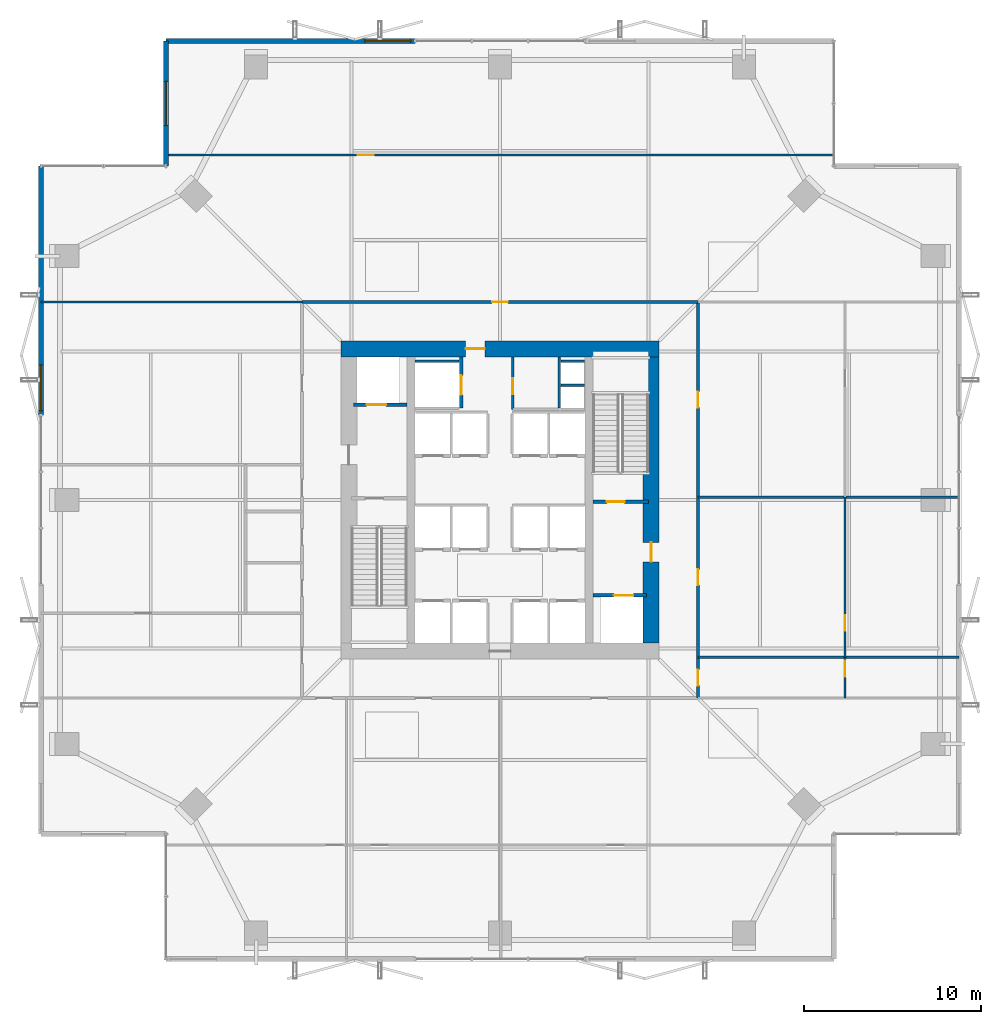
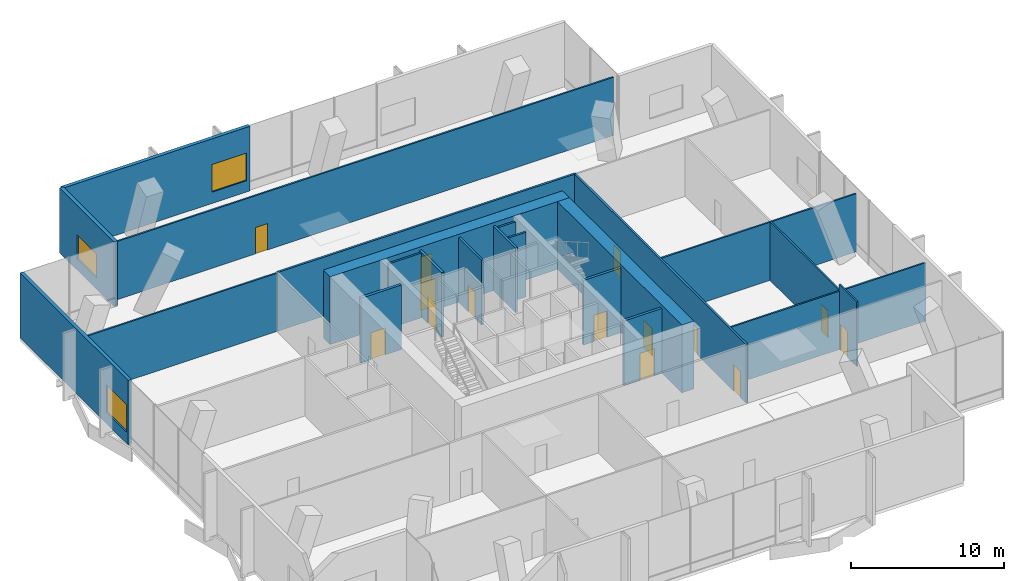
# One storey, part 26 of 28: 22 walls, 14 doors, 3 windows, 17 openings.
"""IFC4 building model written with IfcOpenShell, lengths in metres."""

from ifc_helpers import new_model, si_unit, direction, frame, frame_2d, origin, place, context, subcontext, project, spatial, rectangle, extrude, material, layer, layer_set, type_object, element, fill, save


model = new_model("IFC4")

# Units and contexts
model_context = context("Model", 3, precision=1e-05, world=origin(), true_north=direction((0.0, 1.0)))
body_context = subcontext(model_context, "Body", "Model", "MODEL_VIEW")
ifc_project = project(units=[si_unit("LENGTHUNIT", "METRE"), si_unit("AREAUNIT", "SQUARE_METRE"), si_unit("VOLUMEUNIT", "CUBIC_METRE"), si_unit("PLANEANGLEUNIT", "RADIAN"), si_unit("MASSUNIT", "GRAM", prefix="KILO")], contexts=[model_context])

# Site, building, storey
site_placement = place(None, origin())
site = spatial("IfcSite", under=ifc_project, at=site_placement, CompositionType="ELEMENT")
building_placement = place(site_placement, origin())
building = spatial("IfcBuilding", under=site, at=building_placement, Name="Belovzor Exchange Tower", CompositionType="ELEMENT")
storey_placement = place(building_placement, frame((0.0, 0.0, 132.89990234375)))
storey = spatial("IfcBuildingStorey", under=building, at=storey_placement, Name="L32", CompositionType="ELEMENT", Elevation=132.89990234375)

# Wall, opening, door
ifc_material_1 = material(Name="Acoustic Plasterboard on Galvanised Studs", Category="gypsum")
ifc_layer_1 = layer(ifc_material_1, 0.1201171875)
ifc_layer_set_1 = layer_set([ifc_layer_1], Name="Acoustic Plasterboard on Galvanised Studs")
wall_type_1 = type_object("IfcWallType", Name="Acoustic Double-Stud Partition Wall 120", PredefinedType="PARTITIONING", material=ifc_layer_set_1)
wall_1_placement = place(storey_placement, frame((9.89990234375, 48.320068359375, 0.0), z_axis=(0.0, 0.0, 1.0), x_axis=(1.0, 0.0, 0.0)))
wall_1 = element("IfcWall", 1, at=wall_1_placement, inside=storey, type_object=wall_type_1, Name="W-P120 Partition Wall W-L32-NHDIV-0", PredefinedType="PARTITIONING", context=body_context, shape_type="SweptSolid", body=[
    extrude(rectangle(XDim=37.800048828125, YDim=0.1201171875, at=frame_2d((18.89990234375, 0.0))), origin(), (0.0, 0.0, 1.0), 4.630126953125),
])
opening_1_placement = place(wall_1_placement, frame((10.845947265625, 0.0, 0.0)))
opening_1 = element("IfcOpeningElement", 2, at=opening_1_placement, cuts=wall_1, Name="Opening D-INT-090", PredefinedType="OPENING", context=body_context, shape_type="SweptSolid", body=[
    extrude(rectangle(XDim=0.89990234375, YDim=2.10009765625, at=frame_2d((0.449951171875, 1.050048828125))), frame((0.0, 0.070068359375, 0.0), z_axis=(0.0, -1.0, 0.0), x_axis=(1.0, 0.0, 0.0)), (0.0, 0.0, 1.0), 0.14013671875),
])
ifc_material_2 = material(Name="Veneered Hardwood Acoustic Leaf", Category="wood")
door_type_1 = type_object("IfcDoorType", Name="Trading Suite Acoustic Single Door 900x2100", OperationType="NOTDEFINED", PredefinedType="DOOR", material=ifc_material_2)
door_1_placement = place(opening_1_placement, origin())
door_1 = element("IfcDoor", 3, at=door_1_placement, inside=storey, type_object=door_type_1, Name="D-INT-090 Trading Suite Acoustic Single Door 900x2100", OperationType="SINGLE_SWING_RIGHT", OverallHeight=2.10009765625, OverallWidth=0.89990234375, PredefinedType="DOOR", context=body_context, shape_type="SweptSolid", body=[
    extrude(rectangle(XDim=0.89990234375, YDim=2.10009765625, at=frame_2d((0.449951171875, 1.050048828125))), frame((0.0, 0.02490234375, 0.0), z_axis=(0.0, -1.0, 0.0), x_axis=(1.0, 0.0, 0.0)), (0.0, 0.0, 1.0), 0.050048828125),
])
fill(opening_1, door_1)

# Wall
wall_2_placement = place(storey_placement, frame((2.830078125, 40.0, 0.0), z_axis=(0.0, 0.0, 1.0), x_axis=(1.0, 0.0, 0.0)))
element("IfcWall", 4, at=wall_2_placement, inside=storey, type_object=wall_type_1, Name="W-P120 Partition Wall W-L32-END-NW", PredefinedType="PARTITIONING", context=body_context, shape_type="SweptSolid", body=[
    extrude(rectangle(XDim=14.77001953125, YDim=0.1201171875, at=frame_2d((7.385009765625, 0.0))), origin(), (0.0, 0.0, 1.0), 4.630126953125),
])

# Wall, opening, door
wall_3_placement = place(storey_placement, frame((48.320068359375, 17.60009765625, 0.0), z_axis=(0.0, 0.0, 1.0), x_axis=(0.0, 1.0, 0.0)))
wall_3 = element("IfcWall", 5, at=wall_3_placement, inside=storey, type_object=wall_type_1, Name="W-P120 Partition Wall W-L32-EHDIV-0", PredefinedType="PARTITIONING", context=body_context, shape_type="SweptSolid", body=[
    extrude(rectangle(XDim=2.2998046875, YDim=0.1201171875, at=frame_2d((1.14990234375, 0.0))), origin(), (0.0, 0.0, 1.0), 5.14501953125),
])
opening_2_placement = place(wall_3_placement, frame((1.199951171875, 0.0, 0.0)))
opening_2 = element("IfcOpeningElement", 6, at=opening_2_placement, cuts=wall_3, Name="Opening D-INT-090", PredefinedType="OPENING", context=body_context, shape_type="SweptSolid", body=[
    extrude(rectangle(XDim=0.89990234375, YDim=2.10009765625, at=frame_2d((0.449951171875, 1.050048828125))), frame((0.0, 0.070068359375, 0.0), z_axis=(0.0, -1.0, 0.0), x_axis=(1.0, 0.0, 0.0)), (0.0, 0.0, 1.0), 0.14013671875),
])
door_2_placement = place(opening_2_placement, origin())
door_2 = element("IfcDoor", 7, at=door_2_placement, inside=storey, type_object=door_type_1, Name="D-INT-090 Trading Suite Acoustic Single Door 900x2100", OperationType="SINGLE_SWING_RIGHT", OverallHeight=2.10009765625, OverallWidth=0.89990234375, PredefinedType="DOOR", context=body_context, shape_type="SweptSolid", body=[
    extrude(rectangle(XDim=0.89990234375, YDim=2.10009765625, at=frame_2d((0.449951171875, 1.050048828125))), frame((0.0, 0.02490234375, 0.0), z_axis=(0.0, -1.0, 0.0), x_axis=(1.0, 0.0, 0.0)), (0.0, 0.0, 1.0), 0.050048828125),
])
fill(opening_2, door_2)

# Wall
wall_4_placement = place(storey_placement, frame((40.0, 19.89990234375, 0.0), z_axis=(0.0, 0.0, 1.0), x_axis=(1.0, 0.0, 0.0)))
element("IfcWall", 8, at=wall_4_placement, inside=storey, type_object=wall_type_1, Name="W-P120 Partition Wall W-L32-EDIV-1", PredefinedType="PARTITIONING", context=body_context, shape_type="SweptSolid", body=[
    extrude(rectangle(XDim=14.77001953125, YDim=0.1201171875, at=frame_2d((7.385009765625, 0.0))), origin(), (0.0, 0.0, 1.0), 4.630126953125),
])

# Wall, opening, door
wall_5_placement = place(storey_placement, frame((48.320068359375, 19.89990234375, 0.0), z_axis=(0.0, 0.0, 1.0), x_axis=(0.0, 1.0, 0.0)))
wall_5 = element("IfcWall", 9, at=wall_5_placement, inside=storey, type_object=wall_type_1, Name="W-P120 Partition Wall W-L32-EHDIV-1", PredefinedType="PARTITIONING", context=body_context, shape_type="SweptSolid", body=[
    extrude(rectangle(XDim=9.05615234375, YDim=0.1201171875, at=frame_2d((4.528076171875, 0.0))), origin(), (0.0, 0.0, 1.0), 4.68017578125),
])
opening_3_placement = place(wall_5_placement, frame((1.492919921875, 0.0, 0.0)))
opening_3 = element("IfcOpeningElement", 10, at=opening_3_placement, cuts=wall_5, Name="Opening D-INT-090", PredefinedType="OPENING", context=body_context, shape_type="SweptSolid", body=[
    extrude(rectangle(XDim=0.89990234375, YDim=2.10009765625, at=frame_2d((0.449951171875, 1.050048828125))), frame((0.0, 0.070068359375, 0.0), z_axis=(0.0, -1.0, 0.0), x_axis=(1.0, 0.0, 0.0)), (0.0, 0.0, 1.0), 0.14013671875),
])
door_3_placement = place(opening_3_placement, origin())
door_3 = element("IfcDoor", 11, at=door_3_placement, inside=storey, type_object=door_type_1, Name="D-INT-090 Trading Suite Acoustic Single Door 900x2100", OperationType="SINGLE_SWING_RIGHT", OverallHeight=2.10009765625, OverallWidth=0.89990234375, PredefinedType="DOOR", context=body_context, shape_type="SweptSolid", body=[
    extrude(rectangle(XDim=0.89990234375, YDim=2.10009765625, at=frame_2d((0.449951171875, 1.050048828125))), frame((0.0, 0.02490234375, 0.0), z_axis=(0.0, -1.0, 0.0), x_axis=(1.0, 0.0, 0.0)), (0.0, 0.0, 1.0), 0.050048828125),
])
fill(opening_3, door_3)

# Wall
wall_6_placement = place(storey_placement, frame((40.0, 28.9560546875, 0.0), z_axis=(0.0, 0.0, 1.0), x_axis=(1.0, 0.0, 0.0)))
element("IfcWall", 12, at=wall_6_placement, inside=storey, type_object=wall_type_1, Name="W-P120 Partition Wall W-L32-EDIV-2", PredefinedType="PARTITIONING", context=body_context, shape_type="SweptSolid", body=[
    extrude(rectangle(XDim=14.77001953125, YDim=0.1201171875, at=frame_2d((7.385009765625, 0.0))), origin(), (0.0, 0.0, 1.0), 4.630126953125),
])

# Wall, opening, door
ifc_material_3 = material(Name="Fire-Rated Gypsum Block and Mineral Wool", Category="gypsum")
ifc_layer_2 = layer(ifc_material_3, 0.14990234375)
ifc_layer_set_2 = layer_set([ifc_layer_2], Name="Fire-Rated Gypsum Block and Mineral Wool")
wall_type_2 = type_object("IfcWallType", Name="Fire-Rated Gypsum Block Corridor Wall 150", PredefinedType="PARTITIONING", material=ifc_layer_set_2)
wall_7_placement = place(storey_placement, frame((29.52490234375, 33.925048828125, 0.0), z_axis=(0.0, 0.0, 1.0), x_axis=(0.0, 1.0, 0.0)))
wall_7 = element("IfcWall", 13, at=wall_7_placement, inside=storey, type_object=wall_type_2, Name="W-P150 Partition Wall W-CRV-L32-W", PredefinedType="PARTITIONING", context=body_context, shape_type="SweptSolid", body=[
    extrude(rectangle(XDim=2.974853515625, YDim=0.14990234375, at=frame_2d((1.4873046875, 0.0))), origin(), (0.0, 0.0, 1.0), 5.14501953125),
])
opening_4_placement = place(wall_7_placement, frame((0.85009765625, 0.0, 0.0)))
opening_4 = element("IfcOpeningElement", 14, at=opening_4_placement, cuts=wall_7, Name="Opening D-FD60-090", PredefinedType="OPENING", context=body_context, shape_type="SweptSolid", body=[
    extrude(rectangle(XDim=0.89990234375, YDim=2.10009765625, at=frame_2d((0.449951171875, 1.050048828125))), frame((0.0, 0.0849609375, 0.0), z_axis=(0.0, -1.0, 0.0), x_axis=(1.0, 0.0, 0.0)), (0.0, 0.0, 1.0), 0.169921875),
])
ifc_material_4 = material(Name="Acoustic Timber Fire Leaf", Category="wood")
door_type_2 = type_object("IfcDoorType", Name="Core Service & Restroom Fire Door 900x2100", OperationType="NOTDEFINED", PredefinedType="DOOR", material=ifc_material_4)
door_4_placement = place(opening_4_placement, origin())
door_4 = element("IfcDoor", 15, at=door_4_placement, inside=storey, type_object=door_type_2, Name="D-FD60-090 Core Service & Restroom Fire Door 900x2100", OperationType="SINGLE_SWING_LEFT", OverallHeight=2.10009765625, OverallWidth=0.89990234375, PredefinedType="DOOR", context=body_context, shape_type="SweptSolid", body=[
    extrude(rectangle(XDim=0.89990234375, YDim=2.10009765625, at=frame_2d((0.449951171875, 1.050048828125))), frame((0.0, 0.02490234375, 0.0), z_axis=(0.0, -1.0, 0.0), x_axis=(1.0, 0.0, 0.0)), (0.0, 0.0, 1.0), 0.050048828125),
])
fill(opening_4, door_4)

wall_8_placement = place(storey_placement, frame((17.60009765625, 40.0, 0.0), z_axis=(0.0, 0.0, 1.0), x_axis=(1.0, 0.0, 0.0)))
wall_8 = element("IfcWall", 16, at=wall_8_placement, inside=storey, type_object=wall_type_2, Name="W-P150 Partition Wall W-L32-CN", PredefinedType="PARTITIONING", context=body_context, shape_type="SweptSolid", body=[
    extrude(rectangle(XDim=22.39990234375, YDim=0.14990234375, at=frame_2d((11.199951171875, 0.0))), origin(), (0.0, 0.0, 1.0), 4.68017578125),
])
opening_5_placement = place(wall_8_placement, frame((10.75, 0.0, 0.0)))
opening_5 = element("IfcOpeningElement", 17, at=opening_5_placement, cuts=wall_8, Name="Opening D-INT-090", PredefinedType="OPENING", context=body_context, shape_type="SweptSolid", body=[
    extrude(rectangle(XDim=0.89990234375, YDim=2.10009765625, at=frame_2d((0.449951171875, 1.050048828125))), frame((0.0, 0.0849609375, 0.0), z_axis=(0.0, -1.0, 0.0), x_axis=(1.0, 0.0, 0.0)), (0.0, 0.0, 1.0), 0.169921875),
])
door_5_placement = place(opening_5_placement, origin())
door_5 = element("IfcDoor", 18, at=door_5_placement, inside=storey, type_object=door_type_1, Name="D-INT-090 Trading Suite Acoustic Single Door 900x2100", OperationType="SINGLE_SWING_LEFT", OverallHeight=2.10009765625, OverallWidth=0.89990234375, PredefinedType="DOOR", context=body_context, shape_type="SweptSolid", body=[
    extrude(rectangle(XDim=0.89990234375, YDim=2.10009765625, at=frame_2d((0.449951171875, 1.050048828125))), frame((0.0, 0.02490234375, 0.0), z_axis=(0.0, -1.0, 0.0), x_axis=(1.0, 0.0, 0.0)), (0.0, 0.0, 1.0), 0.050048828125),
])
fill(opening_5, door_5)

# Wall, openings, doors
wall_9_placement = place(storey_placement, frame((40.0, 17.60009765625, 0.0), z_axis=(0.0, 0.0, 1.0), x_axis=(0.0, 1.0, 0.0)))
wall_9 = element("IfcWall", 19, at=wall_9_placement, inside=storey, type_object=wall_type_2, Name="W-P150 Partition Wall W-L32-CE", PredefinedType="PARTITIONING", context=body_context, shape_type="SweptSolid", body=[
    extrude(rectangle(XDim=22.39990234375, YDim=0.14990234375, at=frame_2d((11.199951171875, 0.0))), origin(), (0.0, 0.0, 1.0), 4.68017578125),
])
opening_6_placement = place(wall_9_placement, frame((0.699951171875, 0.0, 0.0)))
opening_6 = element("IfcOpeningElement", 20, at=opening_6_placement, cuts=wall_9, Name="Opening D-INT-090", PredefinedType="OPENING", context=body_context, shape_type="SweptSolid", body=[
    extrude(rectangle(XDim=0.89990234375, YDim=2.10009765625, at=frame_2d((0.449951171875, 1.050048828125))), frame((0.0, 0.0849609375, 0.0), z_axis=(0.0, -1.0, 0.0), x_axis=(1.0, 0.0, 0.0)), (0.0, 0.0, 1.0), 0.169921875),
])
opening_7_placement = place(wall_9_placement, frame((6.3779296875, 0.0, 0.0)))
opening_7 = element("IfcOpeningElement", 21, at=opening_7_placement, cuts=wall_9, Name="Opening D-INT-090", PredefinedType="OPENING", context=body_context, shape_type="SweptSolid", body=[
    extrude(rectangle(XDim=0.89990234375, YDim=2.10009765625, at=frame_2d((0.449951171875, 1.050048828125))), frame((0.0, 0.0849609375, 0.0), z_axis=(0.0, -1.0, 0.0), x_axis=(1.0, 0.0, 0.0)), (0.0, 0.0, 1.0), 0.169921875),
])
opening_8_placement = place(wall_9_placement, frame((16.427978515625, 0.0, 0.0)))
opening_8 = element("IfcOpeningElement", 22, at=opening_8_placement, cuts=wall_9, Name="Opening D-INT-090", PredefinedType="OPENING", context=body_context, shape_type="SweptSolid", body=[
    extrude(rectangle(XDim=0.89990234375, YDim=2.10009765625, at=frame_2d((0.449951171875, 1.050048828125))), frame((0.0, 0.0849609375, 0.0), z_axis=(0.0, -1.0, 0.0), x_axis=(1.0, 0.0, 0.0)), (0.0, 0.0, 1.0), 0.169921875),
])
door_6_placement = place(opening_6_placement, origin())
door_6 = element("IfcDoor", 23, at=door_6_placement, inside=storey, type_object=door_type_1, Name="D-INT-090 Trading Suite Acoustic Single Door 900x2100", OperationType="SINGLE_SWING_LEFT", OverallHeight=2.10009765625, OverallWidth=0.89990234375, PredefinedType="DOOR", context=body_context, shape_type="SweptSolid", body=[
    extrude(rectangle(XDim=0.89990234375, YDim=2.10009765625, at=frame_2d((0.449951171875, 1.050048828125))), frame((0.0, 0.02490234375, 0.0), z_axis=(0.0, -1.0, 0.0), x_axis=(1.0, 0.0, 0.0)), (0.0, 0.0, 1.0), 0.050048828125),
])
fill(opening_6, door_6)
door_7_placement = place(opening_7_placement, origin())
door_7 = element("IfcDoor", 24, at=door_7_placement, inside=storey, type_object=door_type_1, Name="D-INT-090 Trading Suite Acoustic Single Door 900x2100", OperationType="SINGLE_SWING_RIGHT", OverallHeight=2.10009765625, OverallWidth=0.89990234375, PredefinedType="DOOR", context=body_context, shape_type="SweptSolid", body=[
    extrude(rectangle(XDim=0.89990234375, YDim=2.10009765625, at=frame_2d((0.449951171875, 1.050048828125))), frame((0.0, 0.02490234375, 0.0), z_axis=(0.0, -1.0, 0.0), x_axis=(1.0, 0.0, 0.0)), (0.0, 0.0, 1.0), 0.050048828125),
])
fill(opening_7, door_7)
door_8_placement = place(opening_8_placement, origin())
door_8 = element("IfcDoor", 25, at=door_8_placement, inside=storey, type_object=door_type_1, Name="D-INT-090 Trading Suite Acoustic Single Door 900x2100", OperationType="SINGLE_SWING_LEFT", OverallHeight=2.10009765625, OverallWidth=0.89990234375, PredefinedType="DOOR", context=body_context, shape_type="SweptSolid", body=[
    extrude(rectangle(XDim=0.89990234375, YDim=2.10009765625, at=frame_2d((0.449951171875, 1.050048828125))), frame((0.0, 0.02490234375, 0.0), z_axis=(0.0, -1.0, 0.0), x_axis=(1.0, 0.0, 0.0)), (0.0, 0.0, 1.0), 0.050048828125),
])
fill(opening_8, door_8)

# Wall, opening, window
ifc_material_5 = material(Name="Precast concrete C40/50", Category="concrete")
ifc_layer_3 = layer(ifc_material_5, 0.280029296875)
ifc_layer_set_3 = layer_set([ifc_layer_3], Name="Precast concrete C40/50")
wall_type_3 = type_object("IfcWallType", Name="Precast Concrete Notched Corner Frame Wall 280", PredefinedType="SOLIDWALL", material=ifc_layer_set_3)
wall_10_placement = place(storey_placement, frame((9.89990234375, 47.699951171875, 0.0), z_axis=(0.0, 0.0, 1.0), x_axis=(0.0, 1.0, 0.0)))
wall_10 = element("IfcWall", 26, at=wall_10_placement, inside=storey, type_object=wall_type_3, Name="W-CRN280 Precast Concrete Notched Corner Frame Wall 280 L32", PredefinedType="SOLIDWALL", context=body_context, shape_type="SweptSolid", body=[
    extrude(rectangle(XDim=7.070068359375, YDim=0.280029296875, at=frame_2d((3.53515625, 0.0))), origin(), (0.0, 0.0, 1.0), 5.14501953125),
])
opening_9_placement = place(wall_10_placement, frame((2.284912109375, 0.0, 0.89990234375)))
opening_9 = element("IfcOpeningElement", 27, at=opening_9_placement, cuts=wall_10, Name="Opening WN-CRN250", PredefinedType="OPENING", context=body_context, shape_type="SweptSolid", body=[
    extrude(rectangle(XDim=2.5, YDim=1.89990234375, at=frame_2d((1.25, 0.949951171875))), frame((0.0, 0.14990234375, 0.0), z_axis=(0.0, -1.0, 0.0), x_axis=(1.0, 0.0, 0.0)), (0.0, 0.0, 1.0), 0.300048828125),
])
ifc_material_6 = material(Name="Thermally Broken Aluminium and Triple Glazing", Category="aluminium")
window_type_1 = type_object("IfcWindowType", Name="Streamline Moderne Corner Wrap Ribbon Window 2500x1900", PartitioningType="SINGLE_PANEL", PredefinedType="WINDOW", material=ifc_material_6)
window_1_placement = place(opening_9_placement, origin())
window_1 = element("IfcWindow", 28, at=window_1_placement, inside=storey, type_object=window_type_1, Name="WN-CRN250 Streamline Moderne Corner Wrap Ribbon Window 2500x1900", OverallHeight=1.89990234375, OverallWidth=2.5, PartitioningType="SINGLE_PANEL", PredefinedType="WINDOW", context=body_context, shape_type="SweptSolid", body=[
    extrude(rectangle(XDim=2.5, YDim=1.89990234375, at=frame_2d((1.25, 0.949951171875))), frame((0.0, 0.030029296875, 0.0), z_axis=(0.0, -1.0, 0.0), x_axis=(1.0, 0.0, 0.0)), (0.0, 0.0, 1.0), 0.06005859375),
])
fill(opening_9, window_1)

ifc_material_7 = material(Name="Precast concrete C40/50", Category="concrete")
ifc_layer_4 = layer(ifc_material_7, 0.260009765625)
ifc_layer_set_4 = layer_set([ifc_layer_4], Name="Precast concrete C40/50")
wall_type_4 = type_object("IfcWallType", Name="Precast Concrete Perimeter Loggia Frame Wall 260", PredefinedType="SOLIDWALL", material=ifc_layer_set_4)
wall_11_placement = place(storey_placement, frame((9.89990234375, 54.77001953125, 0.0), z_axis=(0.0, 0.0, 1.0), x_axis=(1.0, 0.0, 0.0)))
wall_11 = element("IfcWall", 29, at=wall_11_placement, inside=storey, type_object=wall_type_4, Name="W-EXT260 Precast Concrete Perimeter Loggia Frame Wall 260 L32", PredefinedType="SOLIDWALL", context=body_context, shape_type="SweptSolid", body=[
    extrude(rectangle(XDim=14.10009765625, YDim=0.260009765625, at=frame_2d((7.050048828125, 0.0))), origin(), (0.0, 0.0, 1.0), 5.14501953125),
])
opening_10_placement = place(wall_11_placement, frame((11.25, 0.0, 0.89990234375)))
opening_10 = element("IfcOpeningElement", 30, at=opening_10_placement, cuts=wall_11, Name="Opening WN-LOG260", PredefinedType="OPENING", context=body_context, shape_type="SweptSolid", body=[
    extrude(rectangle(XDim=2.60009765625, YDim=2.199951171875, at=frame_2d((1.300048828125, 1.10009765625))), frame((0.0, 0.139892578125, 0.0), z_axis=(0.0, -1.0, 0.0), x_axis=(1.0, 0.0, 0.0)), (0.0, 0.0, 1.0), 0.280029296875),
])
ifc_material_8 = material(Name="Thermally Broken Aluminium and Triple Glazing", Category="aluminium")
window_type_2 = type_object("IfcWindowType", Name="Sky-Lobby Panoramic Window 2600x2200", PartitioningType="SINGLE_PANEL", PredefinedType="WINDOW", material=ifc_material_8)
window_2_placement = place(opening_10_placement, origin())
window_2 = element("IfcWindow", 31, at=window_2_placement, inside=storey, type_object=window_type_2, Name="WN-LOG260 Sky-Lobby Panoramic Window 2600x2200", OverallHeight=2.199951171875, OverallWidth=2.60009765625, PartitioningType="SINGLE_PANEL", PredefinedType="WINDOW", context=body_context, shape_type="SweptSolid", body=[
    extrude(rectangle(XDim=2.60009765625, YDim=2.199951171875, at=frame_2d((1.300048828125, 1.10009765625))), frame((0.0, 0.030029296875, 0.0), z_axis=(0.0, -1.0, 0.0), x_axis=(1.0, 0.0, 0.0)), (0.0, 0.0, 1.0), 0.06005859375),
])
fill(opening_10, window_2)

wall_12_placement = place(storey_placement, frame((2.830078125, 33.60009765625, 0.0), z_axis=(0.0, 0.0, 1.0), x_axis=(0.0, 1.0, 0.0)))
wall_12 = element("IfcWall", 32, at=wall_12_placement, inside=storey, type_object=wall_type_4, Name="W-EXT260 Precast Concrete Perimeter Loggia Frame Wall 260 L32", PredefinedType="SOLIDWALL", context=body_context, shape_type="SweptSolid", body=[
    extrude(rectangle(XDim=14.099853515625, YDim=0.260009765625, at=frame_2d((7.0498046875, 0.0))), origin(), (0.0, 0.0, 1.0), 5.14501953125),
])
opening_11_placement = place(wall_12_placement, frame((0.25, 0.0, 0.89990234375)))
opening_11 = element("IfcOpeningElement", 33, at=opening_11_placement, cuts=wall_12, Name="Opening WN-LOG260", PredefinedType="OPENING", context=body_context, shape_type="SweptSolid", body=[
    extrude(rectangle(XDim=2.60009765625, YDim=2.199951171875, at=frame_2d((1.300048828125, 1.10009765625))), frame((0.0, 0.139892578125, 0.0), z_axis=(0.0, -1.0, 0.0), x_axis=(1.0, 0.0, 0.0)), (0.0, 0.0, 1.0), 0.280029296875),
])
window_3_placement = place(opening_11_placement, origin())
window_3 = element("IfcWindow", 34, at=window_3_placement, inside=storey, type_object=window_type_2, Name="WN-LOG260 Sky-Lobby Panoramic Window 2600x2200", OverallHeight=2.199951171875, OverallWidth=2.60009765625, PartitioningType="SINGLE_PANEL", PredefinedType="WINDOW", context=body_context, shape_type="SweptSolid", body=[
    extrude(rectangle(XDim=2.60009765625, YDim=2.199951171875, at=frame_2d((1.300048828125, 1.10009765625))), frame((0.0, 0.030029296875, 0.0), z_axis=(0.0, -1.0, 0.0), x_axis=(1.0, 0.0, 0.0)), (0.0, 0.0, 1.0), 0.06005859375),
])
fill(opening_11, window_3)

# Walls
ifc_material_9 = material(Name="Concrete C50/60", Category="concrete")
ifc_layer_5 = layer(ifc_material_9, 0.14990234375)
ifc_layer_set_5 = layer_set([ifc_layer_5], Name="Concrete C50/60")
wall_type_5 = type_object("IfcWallType", Name="Reinforced Concrete Core Riser Shear Wall 150", PredefinedType="SHEAR", material=ifc_layer_set_5)
wall_13_placement = place(storey_placement, frame((32.14990234375, 34.0, 0.0), z_axis=(0.0, 0.0, 1.0), x_axis=(0.0, 1.0, 0.0)))
element("IfcWall", 35, at=wall_13_placement, inside=storey, type_object=wall_type_5, Name="W-C150S Core Shaft Wall W-RSR-L32-E", PredefinedType="SHEAR", context=body_context, shape_type="SweptSolid", body=[
    extrude(rectangle(XDim=2.89990234375, YDim=0.14990234375, at=frame_2d((1.449951171875, 0.0))), origin(), (0.0, 0.0, 1.0), 5.14501953125),
])
wall_14_placement = place(storey_placement, frame((32.25, 35.300048828125, 0.0), z_axis=(0.0, 0.0, 1.0), x_axis=(1.0, 0.0, 0.0)))
element("IfcWall", 36, at=wall_14_placement, inside=storey, type_object=wall_type_5, Name="W-C150S Core Shaft Wall W-RSR-L32-M", PredefinedType="SHEAR", context=body_context, shape_type="SweptSolid", body=[
    extrude(rectangle(XDim=1.330078125, YDim=0.14990234375, at=frame_2d((0.6650390625, 0.0))), origin(), (0.0, 0.0, 1.0), 5.14501953125),
])
wall_15_placement = place(storey_placement, frame((24.0, 36.64990234375, 0.0), z_axis=(0.0, 0.0, 1.0), x_axis=(1.0, 0.0, 0.0)))
element("IfcWall", 37, at=wall_15_placement, inside=storey, type_object=wall_type_5, Name="W-C150S Core Shaft Wall W-SH-L32-SL-01N", PredefinedType="SHEAR", context=body_context, shape_type="SweptSolid", body=[
    extrude(rectangle(XDim=2.47998046875, YDim=0.14990234375, at=frame_2d((1.239990234375, 0.0))), origin(), (0.0, 0.0, 1.0), 5.14501953125),
])
wall_16_placement = place(storey_placement, frame((32.25, 36.64990234375, 0.0), z_axis=(0.0, 0.0, 1.0), x_axis=(1.0, 0.0, 0.0)))
element("IfcWall", 38, at=wall_16_placement, inside=storey, type_object=wall_type_5, Name="W-C150S Core Shaft Wall W-RSR-L32-N", PredefinedType="SHEAR", context=body_context, shape_type="SweptSolid", body=[
    extrude(rectangle(XDim=1.330078125, YDim=0.14990234375, at=frame_2d((0.6650390625, 0.0))), origin(), (0.0, 0.0, 1.0), 5.14501953125),
])

# Wall, opening, door
ifc_material_10 = material(Name="Concrete C50/60", Category="concrete")
ifc_layer_6 = layer(ifc_material_10, 0.199951171875)
ifc_layer_set_6 = layer_set([ifc_layer_6], Name="Concrete C50/60")
wall_type_6 = type_object("IfcWallType", Name="Reinforced Concrete Core Shaft Shear Wall 200", PredefinedType="SHEAR", material=ifc_layer_set_6)
wall_17_placement = place(storey_placement, frame((34.050048828125, 28.699951171875, 0.0), z_axis=(0.0, 0.0, 1.0), x_axis=(1.0, 0.0, 0.0)))
wall_17 = element("IfcWall", 39, at=wall_17_placement, inside=storey, type_object=wall_type_6, Name="W-C200S Core Shaft Wall W-CORE-L32-FFLE2", PredefinedType="SHEAR", context=body_context, shape_type="SweptSolid", body=[
    extrude(rectangle(XDim=3.14990234375, YDim=0.199951171875, at=frame_2d((1.574951171875, 0.0))), origin(), (0.0, 0.0, 1.0), 5.14501953125),
])
opening_12_placement = place(wall_17_placement, frame((0.800048828125, 0.0, 0.0)))
opening_12 = element("IfcOpeningElement", 40, at=opening_12_placement, cuts=wall_17, Name="Opening D-FD90-100", PredefinedType="OPENING", context=body_context, shape_type="SweptSolid", body=[
    extrude(rectangle(XDim=1.0, YDim=2.10009765625, at=frame_2d((0.5, 1.050048828125))), frame((0.0, 0.10986328125, 0.0), z_axis=(0.0, -1.0, 0.0), x_axis=(1.0, 0.0, 0.0)), (0.0, 0.0, 1.0), 0.219970703125),
])
ifc_material_11 = material(Name="Fire-Rated Galvanised Steel Leaf", Category="steel")
door_type_3 = type_object("IfcDoorType", Name="Protected Stairwell Single Fire Door 1000x2100", OperationType="NOTDEFINED", PredefinedType="DOOR", material=ifc_material_11)
door_9_placement = place(opening_12_placement, origin())
door_9 = element("IfcDoor", 41, at=door_9_placement, inside=storey, type_object=door_type_3, Name="D-FD90-100 Protected Stairwell Single Fire Door 1000x2100", OperationType="SINGLE_SWING_LEFT", OverallHeight=2.10009765625, OverallWidth=1.0, PredefinedType="DOOR", context=body_context, shape_type="SweptSolid", body=[
    extrude(rectangle(XDim=1.0, YDim=2.10009765625, at=frame_2d((0.5, 1.050048828125))), frame((0.0, 0.02490234375, 0.0), z_axis=(0.0, -1.0, 0.0), x_axis=(1.0, 0.0, 0.0)), (0.0, 0.0, 1.0), 0.050048828125),
])
fill(opening_12, door_9)

wall_18_placement = place(storey_placement, frame((20.5, 34.199951171875, 0.0), z_axis=(0.0, 0.0, 1.0), x_axis=(1.0, 0.0, 0.0)))
wall_18 = element("IfcWall", 42, at=wall_18_placement, inside=storey, type_object=wall_type_6, Name="W-C200S Core Shaft Wall W-SH-L32-FFL-01", PredefinedType="SHEAR", context=body_context, shape_type="SweptSolid", body=[
    extrude(rectangle(XDim=3.050048828125, YDim=0.199951171875, at=frame_2d((1.52490234375, 0.0))), origin(), (0.0, 0.0, 1.0), 5.14501953125),
])
opening_13_placement = place(wall_18_placement, frame((0.75, 0.0, 0.0)))
opening_13 = element("IfcOpeningElement", 43, at=opening_13_placement, cuts=wall_18, Name="Opening LD-110", PredefinedType="OPENING", context=body_context, shape_type="SweptSolid", body=[
    extrude(rectangle(XDim=1.10009765625, YDim=2.14990234375, at=frame_2d((0.550048828125, 1.074951171875))), frame((0.0, 0.10986328125, 0.0), z_axis=(0.0, -1.0, 0.0), x_axis=(1.0, 0.0, 0.0)), (0.0, 0.0, 1.0), 0.219970703125),
])
ifc_material_12 = material(Name="Stainless Steel Grade 304", Category="steel")
door_type_4 = type_object("IfcDoorType", Name="Automated Stainless Steel Lift Landing Door 1100x2150", OperationType="SLIDING_TO_RIGHT", PredefinedType="DOOR", material=ifc_material_12)
door_10_placement = place(opening_13_placement, origin())
door_10 = element("IfcDoor", 44, at=door_10_placement, inside=storey, type_object=door_type_4, Name="LD-110 Automated Stainless Steel Lift Landing Door 1100x2150", OperationType="SLIDING_TO_RIGHT", OverallHeight=2.14990234375, OverallWidth=1.10009765625, PredefinedType="DOOR", context=body_context, shape_type="SweptSolid", body=[
    extrude(rectangle(XDim=1.10009765625, YDim=2.14990234375, at=frame_2d((0.550048828125, 1.074951171875))), frame((0.0, 0.02490234375, 0.0), z_axis=(0.0, -1.0, 0.0), x_axis=(1.0, 0.0, 0.0)), (0.0, 0.0, 1.0), 0.050048828125),
])
fill(opening_13, door_10)

wall_19_placement = place(storey_placement, frame((34.050048828125, 23.39990234375, 0.0), z_axis=(0.0, 0.0, 1.0), x_axis=(1.0, 0.0, 0.0)))
wall_19 = element("IfcWall", 45, at=wall_19_placement, inside=storey, type_object=wall_type_6, Name="W-C200S Core Shaft Wall W-SH-L32-FFL-02", PredefinedType="SHEAR", context=body_context, shape_type="SweptSolid", body=[
    extrude(rectangle(XDim=3.050048828125, YDim=0.199951171875, at=frame_2d((1.52490234375, 0.0))), origin(), (0.0, 0.0, 1.0), 5.14501953125),
])
opening_14_placement = place(wall_19_placement, frame((1.199951171875, 0.0, 0.0)))
opening_14 = element("IfcOpeningElement", 46, at=opening_14_placement, cuts=wall_19, Name="Opening LD-110", PredefinedType="OPENING", context=body_context, shape_type="SweptSolid", body=[
    extrude(rectangle(XDim=1.10009765625, YDim=2.14990234375, at=frame_2d((0.550048828125, 1.074951171875))), frame((0.0, 0.10986328125, 0.0), z_axis=(0.0, -1.0, 0.0), x_axis=(1.0, 0.0, 0.0)), (0.0, 0.0, 1.0), 0.219970703125),
])
door_11_placement = place(opening_14_placement, origin())
door_11 = element("IfcDoor", 47, at=door_11_placement, inside=storey, type_object=door_type_4, Name="LD-110 Automated Stainless Steel Lift Landing Door 1100x2150", OperationType="SLIDING_TO_RIGHT", OverallHeight=2.14990234375, OverallWidth=1.10009765625, PredefinedType="DOOR", context=body_context, shape_type="SweptSolid", body=[
    extrude(rectangle(XDim=1.10009765625, YDim=2.14990234375, at=frame_2d((0.550048828125, 1.074951171875))), frame((0.0, 0.02490234375, 0.0), z_axis=(0.0, -1.0, 0.0), x_axis=(1.0, 0.0, 0.0)), (0.0, 0.0, 1.0), 0.050048828125),
])
fill(opening_14, door_11)

wall_20_placement = place(storey_placement, frame((26.60009765625, 34.0, 0.0), z_axis=(0.0, 0.0, 1.0), x_axis=(0.0, 1.0, 0.0)))
wall_20 = element("IfcWall", 48, at=wall_20_placement, inside=storey, type_object=wall_type_6, Name="W-C200S Core Shaft Wall W-SH-L32-SL-01", PredefinedType="SHEAR", context=body_context, shape_type="SweptSolid", body=[
    extrude(rectangle(XDim=2.89990234375, YDim=0.199951171875, at=frame_2d((1.449951171875, 0.0))), origin(), (0.0, 0.0, 1.0), 5.14501953125),
])
opening_15_placement = place(wall_20_placement, frame((0.75, 0.0, 0.0)))
opening_15 = element("IfcOpeningElement", 49, at=opening_15_placement, cuts=wall_20, Name="Opening LD-110", PredefinedType="OPENING", context=body_context, shape_type="SweptSolid", body=[
    extrude(rectangle(XDim=1.10009765625, YDim=2.14990234375, at=frame_2d((0.550048828125, 1.074951171875))), frame((0.0, 0.10986328125, 0.0), z_axis=(0.0, -1.0, 0.0), x_axis=(1.0, 0.0, 0.0)), (0.0, 0.0, 1.0), 0.219970703125),
])
door_12_placement = place(opening_15_placement, origin())
door_12 = element("IfcDoor", 50, at=door_12_placement, inside=storey, type_object=door_type_4, Name="LD-110 Automated Stainless Steel Lift Landing Door 1100x2150", OperationType="SLIDING_TO_RIGHT", OverallHeight=2.14990234375, OverallWidth=1.10009765625, PredefinedType="DOOR", context=body_context, shape_type="SweptSolid", body=[
    extrude(rectangle(XDim=1.10009765625, YDim=2.14990234375, at=frame_2d((0.550048828125, 1.074951171875))), frame((0.0, 0.02490234375, 0.0), z_axis=(0.0, -1.0, 0.0), x_axis=(1.0, 0.0, 0.0)), (0.0, 0.0, 1.0), 0.050048828125),
])
fill(opening_15, door_12)

ifc_material_13 = material(Name="Concrete C60/75", Category="concrete")
ifc_layer_7 = layer(ifc_material_13, 0.89990234375)
ifc_layer_set_7 = layer_set([ifc_layer_7], Name="Concrete C60/75")
wall_type_7 = type_object("IfcWallType", Name="Reinforced Concrete Core Shear Wall 900", PredefinedType="SHEAR", material=ifc_layer_set_7)
wall_21_placement = place(storey_placement, frame((19.800048828125, 37.35009765625, 0.0), z_axis=(0.0, 0.0, 1.0), x_axis=(1.0, 0.0, 0.0)))
wall_21 = element("IfcWall", 51, at=wall_21_placement, inside=storey, type_object=wall_type_7, Name="CW-S090 Core Shear Wall L32 N", PredefinedType="SHEAR", context=body_context, shape_type="SweptSolid", body=[
    extrude(rectangle(XDim=18.0, YDim=0.89990234375, at=frame_2d((9.0, 0.0))), origin(), (0.0, 0.0, 1.0), 5.400146484375),
])
opening_16_placement = place(wall_21_placement, frame((7.050048828125, 0.0, 0.0)))
opening_16 = element("IfcOpeningElement", 52, at=opening_16_placement, cuts=wall_21, Name="Opening D-FD90-110", PredefinedType="OPENING", context=body_context, shape_type="SweptSolid", body=[
    extrude(rectangle(XDim=1.10009765625, YDim=2.14990234375, at=frame_2d((0.550048828125, 1.074951171875))), frame((0.0, 0.4599609375, 0.0), z_axis=(0.0, -1.0, 0.0), x_axis=(1.0, 0.0, 0.0)), (0.0, 0.0, 1.0), 0.919921875),
])
ifc_material_14 = material(Name="Fire-Rated Galvanised Steel Leaf", Category="steel")
door_type_5 = type_object("IfcDoorType", Name="Protected Escape Vestibule Fire Door 1100x2150", OperationType="NOTDEFINED", PredefinedType="DOOR", material=ifc_material_14)
door_13_placement = place(opening_16_placement, origin())
door_13 = element("IfcDoor", 53, at=door_13_placement, inside=storey, type_object=door_type_5, Name="D-FD90-110 Protected Escape Vestibule Fire Door 1100x2150", OperationType="SINGLE_SWING_RIGHT", OverallHeight=2.14990234375, OverallWidth=1.10009765625, PredefinedType="DOOR", context=body_context, shape_type="SweptSolid", body=[
    extrude(rectangle(XDim=1.10009765625, YDim=2.14990234375, at=frame_2d((0.550048828125, 1.074951171875))), frame((0.0, 0.02490234375, 0.0), z_axis=(0.0, -1.0, 0.0), x_axis=(1.0, 0.0, 0.0)), (0.0, 0.0, 1.0), 0.050048828125),
])
fill(opening_16, door_13)

wall_22_placement = place(storey_placement, frame((37.35009765625, 20.699951171875, 0.0), z_axis=(0.0, 0.0, 1.0), x_axis=(0.0, 1.0, 0.0)))
wall_22 = element("IfcWall", 54, at=wall_22_placement, inside=storey, type_object=wall_type_7, Name="CW-S090 Core Shear Wall L32 E", PredefinedType="SHEAR", context=body_context, shape_type="SweptSolid", body=[
    extrude(rectangle(XDim=16.199951171875, YDim=0.89990234375, at=frame_2d((8.10009765625, 0.0))), origin(), (0.0, 0.0, 1.0), 5.400146484375),
])
opening_17_placement = place(wall_22_placement, frame((4.60009765625, 0.0, 0.0)))
opening_17 = element("IfcOpeningElement", 55, at=opening_17_placement, cuts=wall_22, Name="Opening D-FD90-110", PredefinedType="OPENING", context=body_context, shape_type="SweptSolid", body=[
    extrude(rectangle(XDim=1.10009765625, YDim=2.14990234375, at=frame_2d((0.550048828125, 1.074951171875))), frame((0.0, 0.4599609375, 0.0), z_axis=(0.0, -1.0, 0.0), x_axis=(1.0, 0.0, 0.0)), (0.0, 0.0, 1.0), 0.919921875),
])
door_14_placement = place(opening_17_placement, origin())
door_14 = element("IfcDoor", 56, at=door_14_placement, inside=storey, type_object=door_type_5, Name="D-FD90-110 Protected Escape Vestibule Fire Door 1100x2150", OperationType="SINGLE_SWING_RIGHT", OverallHeight=2.14990234375, OverallWidth=1.10009765625, PredefinedType="DOOR", context=body_context, shape_type="SweptSolid", body=[
    extrude(rectangle(XDim=1.10009765625, YDim=2.14990234375, at=frame_2d((0.550048828125, 1.074951171875))), frame((0.0, 0.02490234375, 0.0), z_axis=(0.0, -1.0, 0.0), x_axis=(1.0, 0.0, 0.0)), (0.0, 0.0, 1.0), 0.050048828125),
])
fill(opening_17, door_14)

save(model, "model.ifc")
